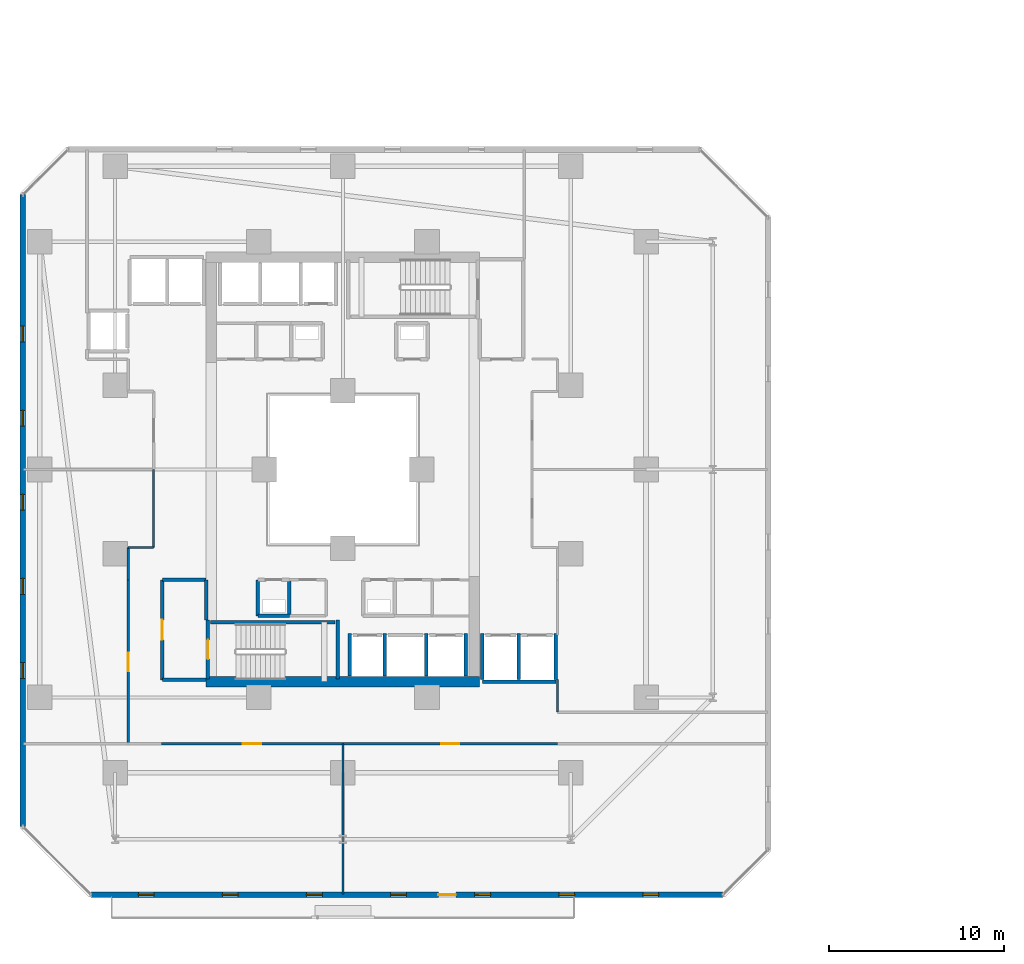
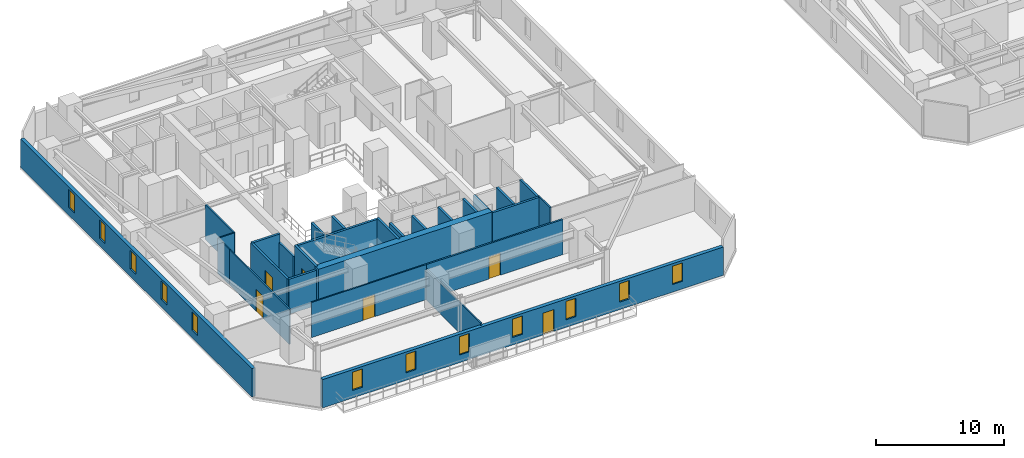
# One storey, part 20 of 34: 29 walls, 12 windows, 6 doors, 18 openings.
"""IFC4 building model written with IfcOpenShell, lengths in metres."""

from ifc_helpers import new_model, si_unit, direction, frame, frame_2d, origin, place, context, subcontext, project, spatial, rectangle, extrude, material, layer, layer_set, type_object, element, fill, save


model = new_model("IFC4")

# Units and contexts
model_context = context("Model", 3, precision=1e-05, world=origin(), true_north=direction((0.0, 1.0)))
body_context = subcontext(model_context, "Body", "Model", "MODEL_VIEW")
ifc_project = project(units=[si_unit("LENGTHUNIT", "METRE"), si_unit("AREAUNIT", "SQUARE_METRE"), si_unit("VOLUMEUNIT", "CUBIC_METRE"), si_unit("PLANEANGLEUNIT", "RADIAN"), si_unit("MASSUNIT", "GRAM", prefix="KILO")], contexts=[model_context])

# Site, building, storey
site_placement = place(None, origin())
site = spatial("IfcSite", under=ifc_project, at=site_placement, CompositionType="ELEMENT")
building_placement = place(site_placement, origin())
building = spatial("IfcBuilding", under=site, at=building_placement, Name="Thornwick Lancets Civic Towers", CompositionType="ELEMENT")
storey_placement = place(building_placement, frame((0.0, 0.0, 53.699951171875)))
storey = spatial("IfcBuildingStorey", under=building, at=storey_placement, Name="L13", CompositionType="ELEMENT", Elevation=53.699951171875)

# Walls
ifc_material_1 = material(Name="Concrete blockwork C40/50", Category="masonry")
ifc_layer_1 = layer(ifc_material_1, 0.199951171875, Name="Concrete blockwork C40/50")
ifc_layer_set_1 = layer_set([ifc_layer_1], Name="Concrete blockwork C40/50")
wall_type_1 = type_object("IfcWallType", Name="WALL_COMP_200", PredefinedType="STANDARD", material=ifc_layer_set_1)
for number, where, z_axis, x_axis, name in (
    (1, (27.89990234375, 15.2119140625, 0.0), (0.0, 0.0, 1.0), (0.0, 1.0, 0.0), "L13 Hoistway Shaft Wall FL-A1 E"),
    (2, (25.89990234375, 15.2119140625, 0.0), (0.0, 0.0, 1.0), (0.0, 1.0, 0.0), "L13 Hoistway Shaft Wall FL-A1 W"),
    (3, (30.25, 15.2119140625, 0.0), (0.0, 0.0, 1.0), (0.0, 1.0, 0.0), "L13 Hoistway Shaft Wall PL-AH1 E"),
    (4, (32.5, 15.2119140625, 0.0), (0.0, 0.0, 1.0), (0.0, 1.0, 0.0), "L13 Hoistway Shaft Wall PL-AL1 E"),
):
    element("IfcWall", number, at=place(storey_placement, frame(where, z_axis=z_axis, x_axis=x_axis)), inside=storey, type_object=wall_type_1, Name=name, PredefinedType="STANDARD", context=body_context, shape_type="SweptSolid", body=[
        extrude(rectangle(XDim=2.43603515625, YDim=0.199951171875, at=frame_2d((1.218017578125, 0.0))), origin(), (0.0, 0.0, 1.0), 3.340087890625),
    ])
wall_1_placement = place(storey_placement, frame((33.451904296875, 14.89990234375, 0.0), z_axis=(0.0, 0.0, 1.0), x_axis=(1.0, 0.0, 0.0)))
element("IfcWall", 5, at=wall_1_placement, inside=storey, type_object=wall_type_1, Name="L13 Hoistway Shaft Wall PL-AL2 S", PredefinedType="STANDARD", context=body_context, shape_type="SweptSolid", body=[
    extrude(rectangle(XDim=4.196044921875, YDim=0.199951171875, at=frame_2d((2.09814453125, 0.0))), origin(), (0.0, 0.0, 1.0), 3.340087890625),
])
for number, where, z_axis, x_axis, name in (
    (6, (35.52490234375, 15.011962890625, 0.0), (0.0, 0.0, 1.0), (0.0, 1.0, 0.0), "L13 Hoistway Shaft Wall PL-AL2 E"),
    (7, (33.449951171875, 15.011962890625, 0.0), (0.0, 0.0, 1.0), (0.0, 1.0, 0.0), "L13 Hoistway Shaft Wall PL-AL2 W"),
    (8, (37.64990234375, 15.011962890625, 0.0), (0.0, 0.0, 1.0), (0.0, 1.0, 0.0), "L13 Hoistway Shaft Wall PL-AL3 E"),
):
    element("IfcWall", number, at=place(storey_placement, frame(where, z_axis=z_axis, x_axis=x_axis)), inside=storey, type_object=wall_type_1, Name=name, PredefinedType="STANDARD", context=body_context, shape_type="SweptSolid", body=[
        extrude(rectangle(XDim=2.635986328125, YDim=0.199951171875, at=frame_2d((1.31787109375, 0.0))), origin(), (0.0, 0.0, 1.0), 3.340087890625),
    ])
wall_2_placement = place(storey_placement, frame((15.199951171875, 15.0, 0.0), z_axis=(0.0, 0.0, 1.0), x_axis=(1.0, 0.0, 0.0)))
element("IfcWall", 9, at=wall_2_placement, inside=storey, type_object=wall_type_1, Name="L13 Partition L13-A-FFLOB1 E1", PredefinedType="STANDARD", context=body_context, shape_type="SweptSolid", body=[
    extrude(rectangle(XDim=2.5, YDim=0.199951171875, at=frame_2d((1.25, 0.0))), origin(), (0.0, 0.0, 1.0), 3.340087890625),
])
wall_3_placement = place(storey_placement, frame((17.699951171875, 18.39990234375, 0.0), z_axis=(0.0, 0.0, 1.0), x_axis=(0.0, 1.0, 0.0)))
element("IfcWall", 10, at=wall_3_placement, inside=storey, type_object=wall_type_1, Name="L13 Partition L13-A-FFLOB1 E2", PredefinedType="STANDARD", context=body_context, shape_type="SweptSolid", body=[
    extrude(rectangle(XDim=2.300048828125, YDim=0.199951171875, at=frame_2d((1.14990234375, 0.0))), origin(), (0.0, 0.0, 1.0), 2.545166015625),
])
wall_4_placement = place(storey_placement, frame((17.699951171875, 20.699951171875, 0.0), z_axis=(0.0, 0.0, 1.0), x_axis=(-1.0, 0.0, 0.0)))
element("IfcWall", 11, at=wall_4_placement, inside=storey, type_object=wall_type_1, Name="L13 Partition L13-A-FFLOB1 E3", PredefinedType="STANDARD", context=body_context, shape_type="SweptSolid", body=[
    extrude(rectangle(XDim=2.5, YDim=0.199951171875, at=frame_2d((1.25, 0.0))), origin(), (0.0, 0.0, 1.0), 3.340087890625),
])

# Wall, opening, door
wall_5_placement = place(storey_placement, frame((15.199951171875, 20.699951171875, 0.0), z_axis=(0.0, 0.0, 1.0), x_axis=(0.0, -1.0, 0.0)))
wall_5 = element("IfcWall", 12, at=wall_5_placement, inside=storey, type_object=wall_type_1, Name="L13 Partition L13-A-FFLOB1 E4", PredefinedType="STANDARD", context=body_context, shape_type="SweptSolid", body=[
    extrude(rectangle(XDim=5.699951171875, YDim=0.199951171875, at=frame_2d((2.85009765625, 0.0))), origin(), (0.0, 0.0, 1.0), 3.340087890625),
])
opening_1_placement = place(wall_5_placement, frame((2.27490234375, 0.0, 0.0)))
opening_1 = element("IfcOpeningElement", 13, at=opening_1_placement, cuts=wall_5, Name="Opening D-L13-0625", PredefinedType="OPENING", context=body_context, shape_type="SweptSolid", body=[
    extrude(rectangle(XDim=1.14990234375, YDim=2.10009765625, at=frame_2d((0.574951171875, 1.050048828125))), frame((0.0, 0.10986328125, 0.0), z_axis=(0.0, -1.0, 0.0), x_axis=(1.0, 0.0, 0.0)), (0.0, 0.0, 1.0), 0.219970703125),
])
ifc_material_2 = material(Name="Glazed fire-resisting steel", Category="steel")
door_type_1 = type_object("IfcDoorType", Name="DOOR_LOBBY_FD60", OperationType="NOTDEFINED", PredefinedType="DOOR", material=ifc_material_2)
door_1_placement = place(opening_1_placement, origin())
door_1 = element("IfcDoor", 14, at=door_1_placement, inside=storey, type_object=door_type_1, Name="L13 South Firefighting Lobby 1 Door", OperationType="SINGLE_SWING_RIGHT", OverallHeight=2.10009765625, OverallWidth=1.14990234375, PredefinedType="DOOR", context=body_context, shape_type="SweptSolid", body=[
    extrude(rectangle(XDim=1.14990234375, YDim=2.10009765625, at=frame_2d((0.574951171875, 1.050048828125))), frame((0.0, 0.02490234375, 0.0), z_axis=(0.0, -1.0, 0.0), x_axis=(1.0, 0.0, 0.0)), (0.0, 0.0, 1.0), 0.050048828125),
])
fill(opening_1, door_1)

# Walls
wall_6_placement = place(storey_placement, frame((20.64990234375, 18.64990234375, 0.0), z_axis=(0.0, 0.0, 1.0), x_axis=(1.0, 0.0, 0.0)))
element("IfcWall", 15, at=wall_6_placement, inside=storey, type_object=wall_type_1, Name="L13 Partition L13-A-RISER1 E1", PredefinedType="STANDARD", context=body_context, shape_type="SweptSolid", body=[
    extrude(rectangle(XDim=1.800048828125, YDim=0.199951171875, at=frame_2d((0.89990234375, 0.0))), origin(), (0.0, 0.0, 1.0), 3.340087890625),
])
for number, where, z_axis, x_axis, name in (
    (16, (22.449951171875, 18.64990234375, 0.0), (0.0, 0.0, 1.0), (0.0, 1.0, 0.0), "L13 Partition L13-A-RISER1 E2"),
    (17, (20.64990234375, 20.699951171875, 0.0), (0.0, 0.0, 1.0), (0.0, -1.0, 0.0), "L13 Partition L13-A-RISER1 E4"),
):
    element("IfcWall", number, at=place(storey_placement, frame(where, z_axis=z_axis, x_axis=x_axis)), inside=storey, type_object=wall_type_1, Name=name, PredefinedType="STANDARD", context=body_context, shape_type="SweptSolid", body=[
        extrude(rectangle(XDim=2.050048828125, YDim=0.199951171875, at=frame_2d((1.02490234375, 0.0))), origin(), (0.0, 0.0, 1.0), 3.340087890625),
    ])
ifc_material_3 = material(Name="Concrete C60/75", Category="concrete")
ifc_layer_2 = layer(ifc_material_3, 0.60009765625, Name="Concrete C60/75")
ifc_layer_set_2 = layer_set([ifc_layer_2], Name="Concrete C60/75")
wall_type_2 = type_object("IfcWallType", Name="WALL_CORE_600", PredefinedType="SHEAR", material=ifc_layer_set_2)
wall_7_placement = place(storey_placement, frame((17.699951171875, 14.89990234375, 0.0), z_axis=(0.0, 0.0, 1.0), x_axis=(1.0, 0.0, 0.0)))
element("IfcWall", 18, at=wall_7_placement, inside=storey, type_object=wall_type_2, Name="L13 Split Core A1 Shear Wall S", PredefinedType="SHEAR", context=body_context, shape_type="SweptSolid", body=[
    extrude(rectangle(XDim=15.60009765625, YDim=0.60009765625, at=frame_2d((7.800048828125, 0.0))), origin(), (0.0, 0.0, 1.0), 3.60009765625),
])

# Wall, openings, door, windows
ifc_material_4 = material(Name="Insulated buff terracotta rainscreen on concrete C40/50", Category="masonry")
ifc_layer_3 = layer(ifc_material_4, 0.320068359375, Name="Insulated buff terracotta rainscreen on concrete C40/50")
ifc_layer_set_3 = layer_set([ifc_layer_3], Name="Insulated buff terracotta rainscreen on concrete C40/50")
wall_type_3 = type_object("IfcWallType", Name="WALL_EXT_TERRA_320", PredefinedType="STANDARD", material=ifc_layer_set_3)
wall_8_placement = place(storey_placement, frame((11.122802734375, 2.739501953125, 0.0), z_axis=(0.0, 0.0, 1.0), x_axis=(0.999999992574, -0.000121872777, 0.0)))
wall_8 = element("IfcWall", 19, at=wall_8_placement, inside=storey, type_object=wall_type_3, Name="L13 Tower A Terracotta Facade Wall E0", PredefinedType="STANDARD", context=body_context, shape_type="SweptSolid", body=[
    extrude(rectangle(XDim=36.058349609375, YDim=0.320068359375, at=frame_2d((18.029296875, 0.0))), origin(), (0.0, 0.0, 1.0), 2.699951171875),
])
opening_2_placement = place(wall_8_placement, frame((19.8291015625, 0.0, 0.0)))
opening_2 = element("IfcOpeningElement", 20, at=opening_2_placement, cuts=wall_8, Name="Opening D-BL-L13-AS", PredefinedType="OPENING", context=body_context, shape_type="SweptSolid", body=[
    extrude(rectangle(XDim=1.0, YDim=2.080078125, at=frame_2d((0.5, 1.0400390625))), frame((0.0, 0.169921875, 0.0), z_axis=(0.0, -1.0, 0.0), x_axis=(1.0, 0.0, 0.0)), (0.0, 0.0, 1.0), 0.340087890625),
])
opening_3_placement = place(wall_8_placement, frame((2.699951171875, 0.0, 0.719970703125)))
opening_3 = element("IfcOpeningElement", 21, at=opening_3_placement, cuts=wall_8, Name="Opening WL-01", PredefinedType="OPENING", context=body_context, shape_type="SweptSolid", body=[
    extrude(rectangle(XDim=0.89990234375, YDim=1.75, at=frame_2d((0.449951171875, 0.875))), frame((0.0, 0.169921875, 0.0), z_axis=(0.0, -1.0, 0.0), x_axis=(1.0, 0.0, 0.0)), (0.0, 0.0, 1.0), 0.340087890625),
])
opening_4_placement = place(wall_8_placement, frame((7.5, 0.0, 0.719970703125)))
opening_4 = element("IfcOpeningElement", 22, at=opening_4_placement, cuts=wall_8, Name="Opening WL-01", PredefinedType="OPENING", context=body_context, shape_type="SweptSolid", body=[
    extrude(rectangle(XDim=0.89990234375, YDim=1.75, at=frame_2d((0.449951171875, 0.875))), frame((0.0, 0.169921875, 0.0), z_axis=(0.0, -1.0, 0.0), x_axis=(1.0, 0.0, 0.0)), (0.0, 0.0, 1.0), 0.340087890625),
])
opening_5_placement = place(wall_8_placement, frame((12.300048828125, 0.0, 0.719970703125)))
opening_5 = element("IfcOpeningElement", 23, at=opening_5_placement, cuts=wall_8, Name="Opening WL-01", PredefinedType="OPENING", context=body_context, shape_type="SweptSolid", body=[
    extrude(rectangle(XDim=0.89990234375, YDim=1.75, at=frame_2d((0.449951171875, 0.875))), frame((0.0, 0.169921875, 0.0), z_axis=(0.0, -1.0, 0.0), x_axis=(1.0, 0.0, 0.0)), (0.0, 0.0, 1.0), 0.340087890625),
])
opening_6_placement = place(wall_8_placement, frame((17.10009765625, 0.0, 0.719970703125)))
opening_6 = element("IfcOpeningElement", 24, at=opening_6_placement, cuts=wall_8, Name="Opening WL-01", PredefinedType="OPENING", context=body_context, shape_type="SweptSolid", body=[
    extrude(rectangle(XDim=0.89990234375, YDim=1.75, at=frame_2d((0.449951171875, 0.875))), frame((0.0, 0.169921875, 0.0), z_axis=(0.0, -1.0, 0.0), x_axis=(1.0, 0.0, 0.0)), (0.0, 0.0, 1.0), 0.340087890625),
])
opening_7_placement = place(wall_8_placement, frame((21.89990234375, 0.0, 0.719970703125)))
opening_7 = element("IfcOpeningElement", 25, at=opening_7_placement, cuts=wall_8, Name="Opening WL-01", PredefinedType="OPENING", context=body_context, shape_type="SweptSolid", body=[
    extrude(rectangle(XDim=0.89990234375, YDim=1.75, at=frame_2d((0.449951171875, 0.875))), frame((0.0, 0.169921875, 0.0), z_axis=(0.0, -1.0, 0.0), x_axis=(1.0, 0.0, 0.0)), (0.0, 0.0, 1.0), 0.340087890625),
])
opening_8_placement = place(wall_8_placement, frame((26.699951171875, 0.0, 0.719970703125)))
opening_8 = element("IfcOpeningElement", 26, at=opening_8_placement, cuts=wall_8, Name="Opening WL-01", PredefinedType="OPENING", context=body_context, shape_type="SweptSolid", body=[
    extrude(rectangle(XDim=0.89990234375, YDim=1.75, at=frame_2d((0.449951171875, 0.875))), frame((0.0, 0.169921875, 0.0), z_axis=(0.0, -1.0, 0.0), x_axis=(1.0, 0.0, 0.0)), (0.0, 0.0, 1.0), 0.340087890625),
])
opening_9_placement = place(wall_8_placement, frame((31.5, 0.0, 0.719970703125)))
opening_9 = element("IfcOpeningElement", 27, at=opening_9_placement, cuts=wall_8, Name="Opening WL-01", PredefinedType="OPENING", context=body_context, shape_type="SweptSolid", body=[
    extrude(rectangle(XDim=0.89990234375, YDim=1.75, at=frame_2d((0.449951171875, 0.875))), frame((0.0, 0.169921875, 0.0), z_axis=(0.0, -1.0, 0.0), x_axis=(1.0, 0.0, 0.0)), (0.0, 0.0, 1.0), 0.340087890625),
])
ifc_material_5 = material(Name="Thermally broken glazed loggia doorset")
door_type_2 = type_object("IfcDoorType", Name="DOOR_BALC_1000", OperationType="NOTDEFINED", PredefinedType="DOOR", material=ifc_material_5)
door_2_placement = place(opening_2_placement, origin())
door_2 = element("IfcDoor", 28, at=door_2_placement, inside=storey, type_object=door_type_2, Name="L13 Tower A Loggia Balcony Door S", OperationType="SINGLE_SWING_RIGHT", OverallHeight=2.080078125, OverallWidth=1.0, PredefinedType="DOOR", context=body_context, shape_type="SweptSolid", body=[
    extrude(rectangle(XDim=1.0, YDim=2.080078125, at=frame_2d((0.5, 1.0400390625))), frame((0.0, 0.02490234375, 0.0), z_axis=(0.0, -1.0, 0.0), x_axis=(1.0, 0.0, 0.0)), (0.0, 0.0, 1.0), 0.050048828125),
])
fill(opening_2, door_2)
ifc_material_6 = material(Name="Clear low-e double glazing in bronze frame", Category="glass")
window_type = type_object("IfcWindowType", Name="WIN_LANCET_900", PartitioningType="SINGLE_PANEL", PredefinedType="WINDOW", material=ifc_material_6)
window_1_placement = place(opening_3_placement, origin())
window_1 = element("IfcWindow", 29, at=window_1_placement, inside=storey, type_object=window_type, Name="L13 Tower A Staggered Lancet Window E0-1", OverallHeight=1.75, OverallWidth=0.89990234375, PartitioningType="SINGLE_PANEL", PredefinedType="WINDOW", context=body_context, shape_type="SweptSolid", body=[
    extrude(rectangle(XDim=0.89990234375, YDim=1.75, at=frame_2d((0.449951171875, 0.875))), frame((0.0, 0.030029296875, 0.0), z_axis=(0.0, -1.0, 0.0), x_axis=(1.0, 0.0, 0.0)), (0.0, 0.0, 1.0), 0.06005859375),
])
fill(opening_3, window_1)
window_2_placement = place(opening_4_placement, origin())
window_2 = element("IfcWindow", 30, at=window_2_placement, inside=storey, type_object=window_type, Name="L13 Tower A Staggered Lancet Window E0-2", OverallHeight=1.75, OverallWidth=0.89990234375, PartitioningType="SINGLE_PANEL", PredefinedType="WINDOW", context=body_context, shape_type="SweptSolid", body=[
    extrude(rectangle(XDim=0.89990234375, YDim=1.75, at=frame_2d((0.449951171875, 0.875))), frame((0.0, 0.030029296875, 0.0), z_axis=(0.0, -1.0, 0.0), x_axis=(1.0, 0.0, 0.0)), (0.0, 0.0, 1.0), 0.06005859375),
])
fill(opening_4, window_2)
window_3_placement = place(opening_5_placement, origin())
window_3 = element("IfcWindow", 31, at=window_3_placement, inside=storey, type_object=window_type, Name="L13 Tower A Staggered Lancet Window E0-3", OverallHeight=1.75, OverallWidth=0.89990234375, PartitioningType="SINGLE_PANEL", PredefinedType="WINDOW", context=body_context, shape_type="SweptSolid", body=[
    extrude(rectangle(XDim=0.89990234375, YDim=1.75, at=frame_2d((0.449951171875, 0.875))), frame((0.0, 0.030029296875, 0.0), z_axis=(0.0, -1.0, 0.0), x_axis=(1.0, 0.0, 0.0)), (0.0, 0.0, 1.0), 0.06005859375),
])
fill(opening_5, window_3)
window_4_placement = place(opening_6_placement, origin())
window_4 = element("IfcWindow", 32, at=window_4_placement, inside=storey, type_object=window_type, Name="L13 Tower A Staggered Lancet Window E0-4", OverallHeight=1.75, OverallWidth=0.89990234375, PartitioningType="SINGLE_PANEL", PredefinedType="WINDOW", context=body_context, shape_type="SweptSolid", body=[
    extrude(rectangle(XDim=0.89990234375, YDim=1.75, at=frame_2d((0.449951171875, 0.875))), frame((0.0, 0.030029296875, 0.0), z_axis=(0.0, -1.0, 0.0), x_axis=(1.0, 0.0, 0.0)), (0.0, 0.0, 1.0), 0.06005859375),
])
fill(opening_6, window_4)
window_5_placement = place(opening_7_placement, origin())
window_5 = element("IfcWindow", 33, at=window_5_placement, inside=storey, type_object=window_type, Name="L13 Tower A Staggered Lancet Window E0-5", OverallHeight=1.75, OverallWidth=0.89990234375, PartitioningType="SINGLE_PANEL", PredefinedType="WINDOW", context=body_context, shape_type="SweptSolid", body=[
    extrude(rectangle(XDim=0.89990234375, YDim=1.75, at=frame_2d((0.449951171875, 0.875))), frame((0.0, 0.030029296875, 0.0), z_axis=(0.0, -1.0, 0.0), x_axis=(1.0, 0.0, 0.0)), (0.0, 0.0, 1.0), 0.06005859375),
])
fill(opening_7, window_5)
window_6_placement = place(opening_8_placement, origin())
window_6 = element("IfcWindow", 34, at=window_6_placement, inside=storey, type_object=window_type, Name="L13 Tower A Staggered Lancet Window E0-6", OverallHeight=1.75, OverallWidth=0.89990234375, PartitioningType="SINGLE_PANEL", PredefinedType="WINDOW", context=body_context, shape_type="SweptSolid", body=[
    extrude(rectangle(XDim=0.89990234375, YDim=1.75, at=frame_2d((0.449951171875, 0.875))), frame((0.0, 0.030029296875, 0.0), z_axis=(0.0, -1.0, 0.0), x_axis=(1.0, 0.0, 0.0)), (0.0, 0.0, 1.0), 0.06005859375),
])
fill(opening_8, window_6)
window_7_placement = place(opening_9_placement, origin())
window_7 = element("IfcWindow", 35, at=window_7_placement, inside=storey, type_object=window_type, Name="L13 Tower A Staggered Lancet Window E0-7", OverallHeight=1.75, OverallWidth=0.89990234375, PartitioningType="SINGLE_PANEL", PredefinedType="WINDOW", context=body_context, shape_type="SweptSolid", body=[
    extrude(rectangle(XDim=0.89990234375, YDim=1.75, at=frame_2d((0.449951171875, 0.875))), frame((0.0, 0.030029296875, 0.0), z_axis=(0.0, -1.0, 0.0), x_axis=(1.0, 0.0, 0.0)), (0.0, 0.0, 1.0), 0.06005859375),
])
fill(opening_9, window_7)

# Wall, openings, windows
wall_9_placement = place(storey_placement, frame((7.235107421875, 42.68115234375, 0.0), z_axis=(0.0, 0.0, 1.0), x_axis=(0.000121872777, -0.999999992574, 0.0)))
wall_9 = element("IfcWall", 36, at=wall_9_placement, inside=storey, type_object=wall_type_3, Name="L13 Tower A Terracotta Facade Wall E6", PredefinedType="STANDARD", context=body_context, shape_type="SweptSolid", body=[
    extrude(rectangle(XDim=36.058349609375, YDim=0.320068359375, at=frame_2d((18.029296875, 0.0))), origin(), (0.0, 0.0, 1.0), 2.699951171875),
])
opening_10_placement = place(wall_9_placement, frame((7.5, 0.0, 0.719970703125)))
opening_10 = element("IfcOpeningElement", 37, at=opening_10_placement, cuts=wall_9, Name="Opening WL-01", PredefinedType="OPENING", context=body_context, shape_type="SweptSolid", body=[
    extrude(rectangle(XDim=0.89990234375, YDim=1.75, at=frame_2d((0.449951171875, 0.875))), frame((0.0, 0.169921875, 0.0), z_axis=(0.0, -1.0, 0.0), x_axis=(1.0, 0.0, 0.0)), (0.0, 0.0, 1.0), 0.340087890625),
])
opening_11_placement = place(wall_9_placement, frame((12.300048828125, 0.0, 0.719970703125)))
opening_11 = element("IfcOpeningElement", 38, at=opening_11_placement, cuts=wall_9, Name="Opening WL-01", PredefinedType="OPENING", context=body_context, shape_type="SweptSolid", body=[
    extrude(rectangle(XDim=0.89990234375, YDim=1.75, at=frame_2d((0.449951171875, 0.875))), frame((0.0, 0.169921875, 0.0), z_axis=(0.0, -1.0, 0.0), x_axis=(1.0, 0.0, 0.0)), (0.0, 0.0, 1.0), 0.340087890625),
])
opening_12_placement = place(wall_9_placement, frame((17.10009765625, 0.0, 0.719970703125)))
opening_12 = element("IfcOpeningElement", 39, at=opening_12_placement, cuts=wall_9, Name="Opening WL-01", PredefinedType="OPENING", context=body_context, shape_type="SweptSolid", body=[
    extrude(rectangle(XDim=0.89990234375, YDim=1.75, at=frame_2d((0.449951171875, 0.875))), frame((0.0, 0.169921875, 0.0), z_axis=(0.0, -1.0, 0.0), x_axis=(1.0, 0.0, 0.0)), (0.0, 0.0, 1.0), 0.340087890625),
])
opening_13_placement = place(wall_9_placement, frame((21.89990234375, 0.0, 0.719970703125)))
opening_13 = element("IfcOpeningElement", 40, at=opening_13_placement, cuts=wall_9, Name="Opening WL-01", PredefinedType="OPENING", context=body_context, shape_type="SweptSolid", body=[
    extrude(rectangle(XDim=0.89990234375, YDim=1.75, at=frame_2d((0.449951171875, 0.875))), frame((0.0, 0.169921875, 0.0), z_axis=(0.0, -1.0, 0.0), x_axis=(1.0, 0.0, 0.0)), (0.0, 0.0, 1.0), 0.340087890625),
])
opening_14_placement = place(wall_9_placement, frame((26.699951171875, 0.0, 0.719970703125)))
opening_14 = element("IfcOpeningElement", 41, at=opening_14_placement, cuts=wall_9, Name="Opening WL-01", PredefinedType="OPENING", context=body_context, shape_type="SweptSolid", body=[
    extrude(rectangle(XDim=0.89990234375, YDim=1.75, at=frame_2d((0.449951171875, 0.875))), frame((0.0, 0.169921875, 0.0), z_axis=(0.0, -1.0, 0.0), x_axis=(1.0, 0.0, 0.0)), (0.0, 0.0, 1.0), 0.340087890625),
])
window_8_placement = place(opening_10_placement, origin())
window_8 = element("IfcWindow", 42, at=window_8_placement, inside=storey, type_object=window_type, Name="L13 Tower A Staggered Lancet Window E6-1", OverallHeight=1.75, OverallWidth=0.89990234375, PartitioningType="SINGLE_PANEL", PredefinedType="WINDOW", context=body_context, shape_type="SweptSolid", body=[
    extrude(rectangle(XDim=0.89990234375, YDim=1.75, at=frame_2d((0.449951171875, 0.875))), frame((0.0, 0.030029296875, 0.0), z_axis=(0.0, -1.0, 0.0), x_axis=(1.0, 0.0, 0.0)), (0.0, 0.0, 1.0), 0.06005859375),
])
fill(opening_10, window_8)
window_9_placement = place(opening_11_placement, origin())
window_9 = element("IfcWindow", 43, at=window_9_placement, inside=storey, type_object=window_type, Name="L13 Tower A Staggered Lancet Window E6-2", OverallHeight=1.75, OverallWidth=0.89990234375, PartitioningType="SINGLE_PANEL", PredefinedType="WINDOW", context=body_context, shape_type="SweptSolid", body=[
    extrude(rectangle(XDim=0.89990234375, YDim=1.75, at=frame_2d((0.449951171875, 0.875))), frame((0.0, 0.030029296875, 0.0), z_axis=(0.0, -1.0, 0.0), x_axis=(1.0, 0.0, 0.0)), (0.0, 0.0, 1.0), 0.06005859375),
])
fill(opening_11, window_9)
window_10_placement = place(opening_12_placement, origin())
window_10 = element("IfcWindow", 44, at=window_10_placement, inside=storey, type_object=window_type, Name="L13 Tower A Staggered Lancet Window E6-3", OverallHeight=1.75, OverallWidth=0.89990234375, PartitioningType="SINGLE_PANEL", PredefinedType="WINDOW", context=body_context, shape_type="SweptSolid", body=[
    extrude(rectangle(XDim=0.89990234375, YDim=1.75, at=frame_2d((0.449951171875, 0.875))), frame((0.0, 0.030029296875, 0.0), z_axis=(0.0, -1.0, 0.0), x_axis=(1.0, 0.0, 0.0)), (0.0, 0.0, 1.0), 0.06005859375),
])
fill(opening_12, window_10)
window_11_placement = place(opening_13_placement, origin())
window_11 = element("IfcWindow", 45, at=window_11_placement, inside=storey, type_object=window_type, Name="L13 Tower A Staggered Lancet Window E6-4", OverallHeight=1.75, OverallWidth=0.89990234375, PartitioningType="SINGLE_PANEL", PredefinedType="WINDOW", context=body_context, shape_type="SweptSolid", body=[
    extrude(rectangle(XDim=0.89990234375, YDim=1.75, at=frame_2d((0.449951171875, 0.875))), frame((0.0, 0.030029296875, 0.0), z_axis=(0.0, -1.0, 0.0), x_axis=(1.0, 0.0, 0.0)), (0.0, 0.0, 1.0), 0.06005859375),
])
fill(opening_13, window_11)
window_12_placement = place(opening_14_placement, origin())
window_12 = element("IfcWindow", 46, at=window_12_placement, inside=storey, type_object=window_type, Name="L13 Tower A Staggered Lancet Window E6-5", OverallHeight=1.75, OverallWidth=0.89990234375, PartitioningType="SINGLE_PANEL", PredefinedType="WINDOW", context=body_context, shape_type="SweptSolid", body=[
    extrude(rectangle(XDim=0.89990234375, YDim=1.75, at=frame_2d((0.449951171875, 0.875))), frame((0.0, 0.030029296875, 0.0), z_axis=(0.0, -1.0, 0.0), x_axis=(1.0, 0.0, 0.0)), (0.0, 0.0, 1.0), 0.06005859375),
])
fill(opening_14, window_12)

# Walls
ifc_material_7 = material(Name="Acoustic gypsum board partition")
ifc_layer_4 = layer(ifc_material_7, 0.1201171875, Name="Acoustic gypsum board partition")
ifc_layer_set_4 = layer_set([ifc_layer_4], Name="Acoustic gypsum board partition")
wall_type_4 = type_object("IfcWallType", Name="WALL_PART_120", PredefinedType="PARTITIONING", material=ifc_layer_set_4)
wall_10_placement = place(storey_placement, frame((14.699951171875, 27.0, 0.0), z_axis=(0.0, 0.0, 1.0), x_axis=(0.0, -1.0, 0.0)))
element("IfcWall", 47, at=wall_10_placement, inside=storey, type_object=wall_type_4, Name="L13 Partition L13-A-W1 E1", PredefinedType="PARTITIONING", context=body_context, shape_type="SweptSolid", body=[
    extrude(rectangle(XDim=4.449951171875, YDim=0.1201171875, at=frame_2d((2.22509765625, 0.0))), origin(), (0.0, 0.0, 1.0), 3.340087890625),
])
wall_11_placement = place(storey_placement, frame((14.699951171875, 22.550048828125, 0.0), z_axis=(0.0, 0.0, 1.0), x_axis=(-1.0, 0.0, 0.0)))
element("IfcWall", 48, at=wall_11_placement, inside=storey, type_object=wall_type_4, Name="L13 Partition L13-A-W1 E2", PredefinedType="PARTITIONING", context=body_context, shape_type="SweptSolid", body=[
    extrude(rectangle(XDim=1.449951171875, YDim=0.1201171875, at=frame_2d((0.72509765625, 0.0))), origin(), (0.0, 0.0, 1.0), 3.340087890625),
])
wall_12_placement = place(storey_placement, frame((13.25, 22.550048828125, 0.0), z_axis=(0.0, 0.0, 1.0), x_axis=(0.0, -1.0, 0.0)))
element("IfcWall", 49, at=wall_12_placement, inside=storey, type_object=wall_type_4, Name="L13 Partition L13-A-W1 E3", PredefinedType="PARTITIONING", context=body_context, shape_type="SweptSolid", body=[
    extrude(rectangle(XDim=1.85009765625, YDim=0.1201171875, at=frame_2d((0.925048828125, 0.0))), origin(), (0.0, 0.0, 1.0), 3.340087890625),
])

# Wall, opening, door
wall_13_placement = place(storey_placement, frame((13.25, 20.699951171875, 0.0), z_axis=(0.0, 0.0, 1.0), x_axis=(0.0, -1.0, 0.0)))
wall_13 = element("IfcWall", 50, at=wall_13_placement, inside=storey, type_object=wall_type_4, Name="L13 Partition L13-A-W1 E4", PredefinedType="PARTITIONING", context=body_context, shape_type="SweptSolid", body=[
    extrude(rectangle(XDim=9.349853515625, YDim=0.1201171875, at=frame_2d((4.6748046875, 0.0))), origin(), (0.0, 0.0, 1.0), 3.340087890625),
])
opening_15_placement = place(wall_13_placement, frame((4.14990234375, 0.0, 0.0)))
opening_15 = element("IfcOpeningElement", 51, at=opening_15_placement, cuts=wall_13, Name="Opening D-L13-0647", PredefinedType="OPENING", context=body_context, shape_type="SweptSolid", body=[
    extrude(rectangle(XDim=1.050048828125, YDim=2.10009765625, at=frame_2d((0.52490234375, 1.050048828125))), frame((0.0, 0.070068359375, 0.0), z_axis=(0.0, -1.0, 0.0), x_axis=(1.0, 0.0, 0.0)), (0.0, 0.0, 1.0), 0.14013671875),
])
ifc_material_8 = material(Name="Glazed European oak executive doorset")
door_type_3 = type_object("IfcDoorType", Name="DOOR_OFFICE_1050", OperationType="NOTDEFINED", PredefinedType="DOOR", material=ifc_material_8)
door_3_placement = place(opening_15_placement, origin())
door_3 = element("IfcDoor", 52, at=door_3_placement, inside=storey, type_object=door_type_3, Name="L13 Tower A Ministry Directorate Office W1 Door", OperationType="SINGLE_SWING_RIGHT", OverallHeight=2.10009765625, OverallWidth=1.050048828125, PredefinedType="DOOR", context=body_context, shape_type="SweptSolid", body=[
    extrude(rectangle(XDim=1.050048828125, YDim=2.10009765625, at=frame_2d((0.52490234375, 1.050048828125))), frame((0.0, 0.02490234375, 0.0), z_axis=(0.0, -1.0, 0.0), x_axis=(1.0, 0.0, 0.0)), (0.0, 0.0, 1.0), 0.050048828125),
])
fill(opening_15, door_3)

# Wall
wall_14_placement = place(storey_placement, frame((37.75, 13.14990234375, 0.0), z_axis=(0.0, 0.0, 1.0), x_axis=(0.0, 1.0, 0.0)))
element("IfcWall", 53, at=wall_14_placement, inside=storey, type_object=wall_type_4, Name="L13 Partition L13-A-E1 E8", PredefinedType="PARTITIONING", context=body_context, shape_type="SweptSolid", body=[
    extrude(rectangle(XDim=1.862060546875, YDim=0.1201171875, at=frame_2d((0.93115234375, 0.0))), origin(), (0.0, 0.0, 1.0), 3.340087890625),
])

# Wall, opening, door
wall_15_placement = place(storey_placement, frame((15.14990234375, 11.35009765625, 0.0), z_axis=(0.0, 0.0, 1.0), x_axis=(1.0, 0.0, 0.0)))
wall_15 = element("IfcWall", 54, at=wall_15_placement, inside=storey, type_object=wall_type_4, Name="L13 Partition L13-A-S-OFF E2", PredefinedType="PARTITIONING", context=body_context, shape_type="SweptSolid", body=[
    extrude(rectangle(XDim=10.35009765625, YDim=0.1201171875, at=frame_2d((5.175048828125, 0.0))), origin(), (0.0, 0.0, 1.0), 3.340087890625),
])
opening_16_placement = place(wall_15_placement, frame((4.64990234375, 0.0, 0.0)))
opening_16 = element("IfcOpeningElement", 55, at=opening_16_placement, cuts=wall_15, Name="Opening D-L13-0651", PredefinedType="OPENING", context=body_context, shape_type="SweptSolid", body=[
    extrude(rectangle(XDim=1.050048828125, YDim=2.10009765625, at=frame_2d((0.52490234375, 1.050048828125))), frame((0.0, 0.070068359375, 0.0), z_axis=(0.0, -1.0, 0.0), x_axis=(1.0, 0.0, 0.0)), (0.0, 0.0, 1.0), 0.14013671875),
])
door_4_placement = place(opening_16_placement, origin())
door_4 = element("IfcDoor", 56, at=door_4_placement, inside=storey, type_object=door_type_3, Name="L13 Tower A South Division Office Door", OperationType="SINGLE_SWING_RIGHT", OverallHeight=2.10009765625, OverallWidth=1.050048828125, PredefinedType="DOOR", context=body_context, shape_type="SweptSolid", body=[
    extrude(rectangle(XDim=1.050048828125, YDim=2.10009765625, at=frame_2d((0.52490234375, 1.050048828125))), frame((0.0, 0.02490234375, 0.0), z_axis=(0.0, -1.0, 0.0), x_axis=(1.0, 0.0, 0.0)), (0.0, 0.0, 1.0), 0.050048828125),
])
fill(opening_16, door_4)

# Wall
wall_16_placement = place(storey_placement, frame((25.5, 11.35009765625, 0.0), z_axis=(0.0, 0.0, 1.0), x_axis=(0.0, -1.0, 0.0)))
element("IfcWall", 57, at=wall_16_placement, inside=storey, type_object=wall_type_4, Name="L13 Partition L13-A-S-OFF E3", PredefinedType="PARTITIONING", context=body_context, shape_type="SweptSolid", body=[
    extrude(rectangle(XDim=8.570068359375, YDim=0.1201171875, at=frame_2d((4.28515625, 0.0))), origin(), (0.0, 0.0, 1.0), 2.93212890625),
])

# Wall, opening, door
ifc_material_9 = material(Name="Twin-stud acoustic gypsum board")
ifc_layer_5 = layer(ifc_material_9, 0.14990234375, Name="Twin-stud acoustic gypsum board")
ifc_layer_set_5 = layer_set([ifc_layer_5], Name="Twin-stud acoustic gypsum board")
wall_type_5 = type_object("IfcWallType", Name="WALL_PART_150", PredefinedType="PARTITIONING", material=ifc_layer_set_5)
wall_17_placement = place(storey_placement, frame((25.5, 11.35009765625, 0.0), z_axis=(0.0, 0.0, 1.0), x_axis=(1.0, 0.0, 0.0)))
wall_17 = element("IfcWall", 58, at=wall_17_placement, inside=storey, type_object=wall_type_5, Name="L13 Partition L13-A-S-ARCH E3", PredefinedType="PARTITIONING", context=body_context, shape_type="SweptSolid", body=[
    extrude(rectangle(XDim=12.25, YDim=0.14990234375, at=frame_2d((6.125, 0.0))), origin(), (0.0, 0.0, 1.0), 3.340087890625),
])
opening_17_placement = place(wall_17_placement, frame((5.60009765625, 0.0, 0.0)))
opening_17 = element("IfcOpeningElement", 59, at=opening_17_placement, cuts=wall_17, Name="Opening D-L13-0652", PredefinedType="OPENING", context=body_context, shape_type="SweptSolid", body=[
    extrude(rectangle(XDim=1.050048828125, YDim=2.10009765625, at=frame_2d((0.52490234375, 1.050048828125))), frame((0.0, 0.0849609375, 0.0), z_axis=(0.0, -1.0, 0.0), x_axis=(1.0, 0.0, 0.0)), (0.0, 0.0, 1.0), 0.169921875),
])
door_5_placement = place(opening_17_placement, origin())
door_5 = element("IfcDoor", 60, at=door_5_placement, inside=storey, type_object=door_type_3, Name="L13 Tower A Registry and Records Archive Door", OperationType="SINGLE_SWING_LEFT", OverallHeight=2.10009765625, OverallWidth=1.050048828125, PredefinedType="DOOR", context=body_context, shape_type="SweptSolid", body=[
    extrude(rectangle(XDim=1.050048828125, YDim=2.10009765625, at=frame_2d((0.52490234375, 1.050048828125))), frame((0.0, 0.02490234375, 0.0), z_axis=(0.0, -1.0, 0.0), x_axis=(1.0, 0.0, 0.0)), (0.0, 0.0, 1.0), 0.050048828125),
])
fill(opening_17, door_5)

ifc_material_10 = material(Name="Concrete C40/50", Category="concrete")
ifc_layer_6 = layer(ifc_material_10, 0.199951171875, Name="Concrete C40/50")
ifc_layer_set_6 = layer_set([ifc_layer_6], Name="Concrete C40/50")
wall_type_6 = type_object("IfcWallType", Name="WALL_SHAFT_200", PredefinedType="SHEAR", material=ifc_layer_set_6)
wall_18_placement = place(storey_placement, frame((17.800048828125, 15.050048828125, 0.0), z_axis=(0.0, 0.0, 1.0), x_axis=(0.0, 1.0, 0.0)))
wall_18 = element("IfcWall", 61, at=wall_18_placement, inside=storey, type_object=wall_type_6, Name="L13 ST-A1 Fire Stair Core Wall NEAR", PredefinedType="SHEAR", context=body_context, shape_type="SweptSolid", body=[
    extrude(rectangle(XDim=3.349853515625, YDim=0.199951171875, at=frame_2d((1.6748046875, 0.0))), origin(), (0.0, 0.0, 1.0), 3.60009765625),
])
opening_18_placement = place(wall_18_placement, frame((1.125, 0.0, 0.0)))
opening_18 = element("IfcOpeningElement", 62, at=opening_18_placement, cuts=wall_18, Name="Opening D-ST-A1-L13", PredefinedType="OPENING", context=body_context, shape_type="SweptSolid", body=[
    extrude(rectangle(XDim=1.10009765625, YDim=2.10009765625, at=frame_2d((0.550048828125, 1.050048828125))), frame((0.0, 0.10986328125, 0.0), z_axis=(0.0, -1.0, 0.0), x_axis=(1.0, 0.0, 0.0)), (0.0, 0.0, 1.0), 0.219970703125),
])
ifc_material_11 = material(Name="Fire-resisting steel and hardwood", Category="steel")
door_type_4 = type_object("IfcDoorType", Name="DOOR_STAIR_FD60", OperationType="NOTDEFINED", PredefinedType="DOOR", material=ifc_material_11)
door_6_placement = place(opening_18_placement, origin())
door_6 = element("IfcDoor", 63, at=door_6_placement, inside=storey, type_object=door_type_4, Name="L13 ST-A1 Exit Stair Door", OperationType="SINGLE_SWING_RIGHT", OverallHeight=2.10009765625, OverallWidth=1.10009765625, PredefinedType="DOOR", context=body_context, shape_type="SweptSolid", body=[
    extrude(rectangle(XDim=1.10009765625, YDim=2.10009765625, at=frame_2d((0.550048828125, 1.050048828125))), frame((0.0, 0.02490234375, 0.0), z_axis=(0.0, -1.0, 0.0), x_axis=(1.0, 0.0, 0.0)), (0.0, 0.0, 1.0), 0.050048828125),
])
fill(opening_18, door_6)

# Walls
wall_19_placement = place(storey_placement, frame((25.199951171875, 18.39990234375, 0.0), z_axis=(0.0, 0.0, 1.0), x_axis=(0.0, -1.0, 0.0)))
element("IfcWall", 64, at=wall_19_placement, inside=storey, type_object=wall_type_6, Name="L13 ST-A1 Fire Stair Core Wall FAR", PredefinedType="SHEAR", context=body_context, shape_type="SweptSolid", body=[
    extrude(rectangle(XDim=3.349853515625, YDim=0.199951171875, at=frame_2d((1.6748046875, 0.0))), origin(), (0.0, 0.0, 1.0), 3.60009765625),
])
wall_20_placement = place(storey_placement, frame((25.050048828125, 18.297119140625, 0.0), z_axis=(0.0, 0.0, 1.0), x_axis=(-1.0, 0.0, 0.0)))
element("IfcWall", 65, at=wall_20_placement, inside=storey, type_object=wall_type_6, Name="L13 ST-A1 Fire Stair Core Wall RIGHT", PredefinedType="SHEAR", context=body_context, shape_type="SweptSolid", body=[
    extrude(rectangle(XDim=7.10009765625, YDim=0.199951171875, at=frame_2d((3.550048828125, 0.0))), origin(), (0.0, 0.0, 1.0), 3.60009765625),
])

save(model, "model.ifc")
